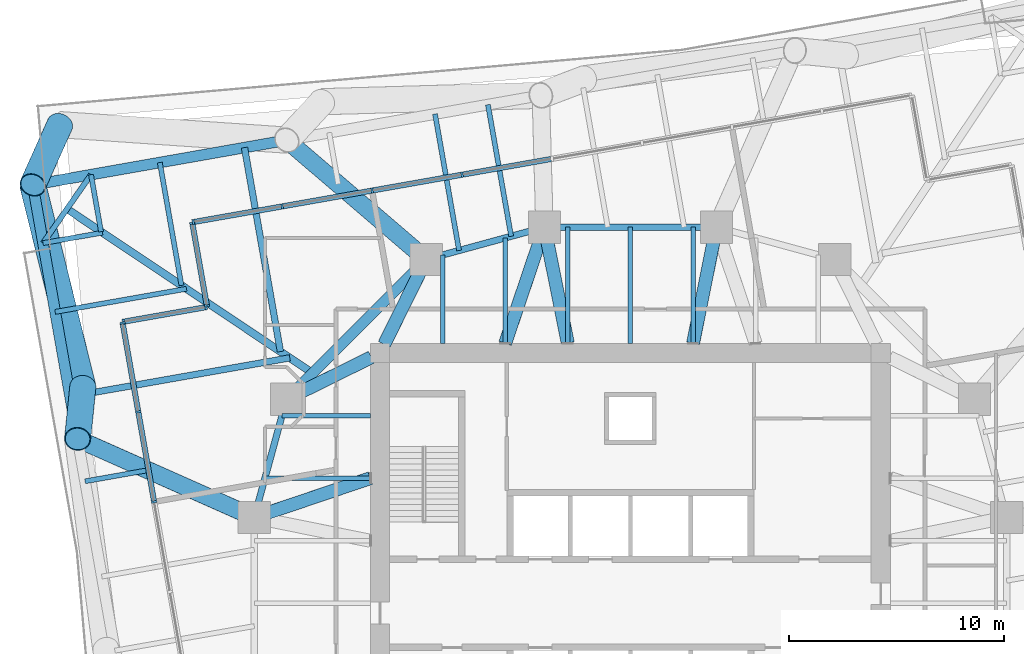
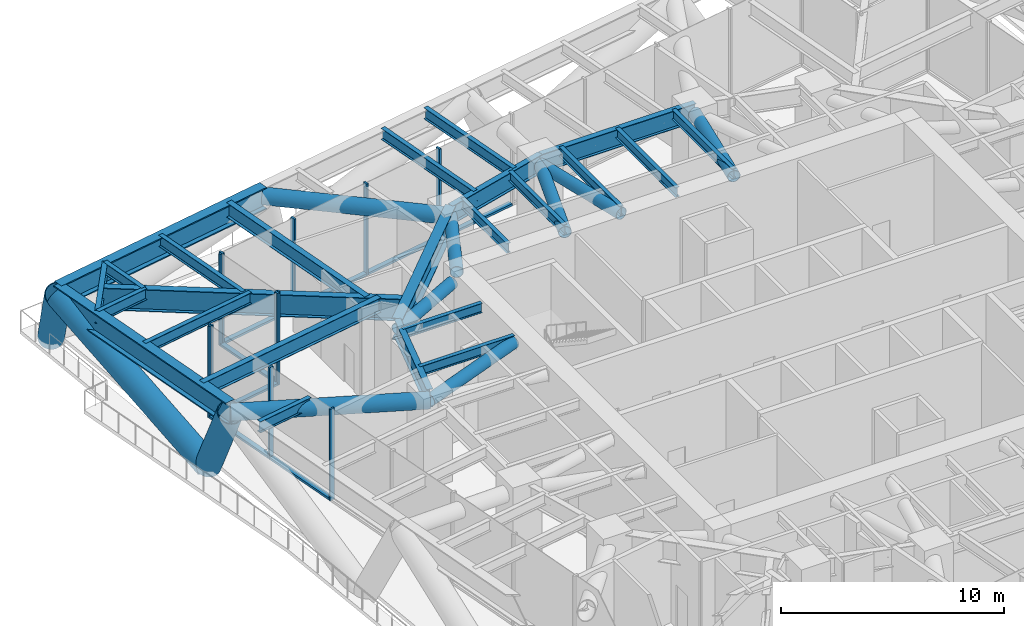
# One storey, part 5 of 15: 30 members, 24 beams, 4 elements without a shape of their own.
"""IFC4 building model written with IfcOpenShell, lengths in metres."""

from ifc_helpers import new_model, si_unit, direction, frame, origin, origin_2d, place, context, subcontext, project, spatial, rectangle, hollow_circle, i_section, extrude, material, material_profile, profile_set, type_object, element, aggregate, save


model = new_model("IFC4")

# Units and contexts
model_context = context("Model", 3, precision=1e-05, world=origin(), true_north=direction((0.0, 1.0)))
body_context = subcontext(model_context, "Body", "Model", "MODEL_VIEW")
ifc_project = project(units=[si_unit("LENGTHUNIT", "METRE"), si_unit("AREAUNIT", "SQUARE_METRE"), si_unit("VOLUMEUNIT", "CUBIC_METRE"), si_unit("PLANEANGLEUNIT", "RADIAN"), si_unit("MASSUNIT", "GRAM", prefix="KILO")], contexts=[model_context])

# Site, building, storey
site_placement = place(None, origin())
site = spatial("IfcSite", under=ifc_project, at=site_placement, CompositionType="ELEMENT")
building_placement = place(site_placement, origin())
building = spatial("IfcBuilding", under=site, at=building_placement, Name="Torsade Residences", CompositionType="ELEMENT")
storey_placement = place(building_placement, frame((0.0, 0.0, 74.39990234375)))
storey = spatial("IfcBuildingStorey", under=building, at=storey_placement, Name="L20", CompositionType="ELEMENT", Elevation=74.39990234375)

# Beams
ifc_material_1 = material(Name="Steel grade 300", Category="steel")
ifc_material_profile_1 = material_profile(ifc_material_1, i_section(OverallWidth=0.35009765625, OverallDepth=1.199951171875, WebThickness=0.01611328125, FlangeThickness=0.028076171875, at=origin_2d()), Name="1200WB278")
ifc_profile_set_1 = profile_set([ifc_material_profile_1], Name="Steel grade 300")
beam_type_1 = type_object("IfcBeamType", Name="CORNER GIRDER 1200WB278", PredefinedType="BEAM", material=ifc_profile_set_1)
beam_1_placement = place(storey_placement, frame((13.7900390625, 48.3525390625, 4.25), z_axis=(0.831284218533, -0.555847594236, 0.0), x_axis=(0.555847594236, 0.831284218533, 0.0)))
element("IfcBeam", 1, at=beam_1_placement, inside=storey, type_object=beam_type_1, Name="Corner girder 13 L21", PredefinedType="BEAM", context=body_context, shape_type="SweptSolid", body=[
    extrude(i_section(OverallWidth=0.35009765625, OverallDepth=1.199951171875, WebThickness=0.01611328125, FlangeThickness=0.028076171875, at=origin_2d()), origin(), (0.0, 0.0, 1.0), 13.742431640625),
])
ifc_material_2 = material(Name="Steel grade 300", Category="steel")
ifc_material_profile_2 = material_profile(ifc_material_2, i_section(OverallWidth=0.25, OverallDepth=0.699951171875, WebThickness=0.010009765625, FlangeThickness=0.02001953125, at=origin_2d()), Name="700WB130")
ifc_profile_set_2 = profile_set([ifc_material_profile_2], Name="Steel grade 300")
beam_type_2 = type_object("IfcBeamType", Name="CORNER TRIMMER 700WB130", PredefinedType="BEAM", material=ifc_profile_set_2)
beam_2_placement = place(storey_placement, frame((12.674560546875, 46.759521484375, 4.5), z_axis=(0.573576092373, 0.819152285145, 0.0), x_axis=(-0.819152285145, 0.573576092373, 0.0)))
element("IfcBeam", 2, at=beam_2_placement, inside=storey, type_object=beam_type_2, Name="Corner trimmer 13 L21", PredefinedType="BEAM", context=body_context, shape_type="SweptSolid", body=[
    extrude(i_section(OverallWidth=0.25, OverallDepth=0.699951171875, WebThickness=0.010009765625, FlangeThickness=0.02001953125, at=origin_2d()), origin(), (0.0, 0.0, 1.0), 3.88916015625),
])
ifc_material_3 = material(Name="Steel grade 300", Category="steel")
ifc_material_profile_3 = material_profile(ifc_material_3, i_section(OverallWidth=0.208984375, OverallDepth=0.528076171875, WebThickness=0.009521484375, FlangeThickness=0.01318359375, FilletRadius=0.013916015625, at=origin_2d()), Name="530UB82.0")
ifc_profile_set_3 = profile_set([ifc_material_profile_3], Name="Steel grade 300")
beam_type_3 = type_object("IfcBeamType", Name="INNER FLOOR BEAM 530UB82.0", PredefinedType="JOIST", material=ifc_profile_set_3)
beam_3_placement = place(storey_placement, frame((31.262451171875, 42.10009765625, 4.586181640625), z_axis=(0.0, 1.0, 0.0), x_axis=(-1.0, 0.0, 0.0)))
element("IfcBeam", 3, at=beam_3_placement, inside=storey, type_object=beam_type_3, Name="Inner floor beam IN01 L21", PredefinedType="JOIST", context=body_context, shape_type="SweptSolid", body=[
    extrude(i_section(OverallWidth=0.208984375, OverallDepth=0.528076171875, WebThickness=0.009521484375, FlangeThickness=0.01318359375, FilletRadius=0.013916015625, at=origin_2d()), origin(), (0.0, 0.0, 1.0), 4.10791015625),
])
beam_4_placement = place(storey_placement, frame((34.175048828125, 42.10009765625, 4.586181640625), z_axis=(0.0, 1.0, 0.0), x_axis=(-1.0, 0.0, 0.0)))
element("IfcBeam", 4, at=beam_4_placement, inside=storey, type_object=beam_type_3, Name="Inner floor beam IN02 L21", PredefinedType="JOIST", context=body_context, shape_type="SweptSolid", body=[
    extrude(i_section(OverallWidth=0.208984375, OverallDepth=0.528076171875, WebThickness=0.009521484375, FlangeThickness=0.01318359375, FilletRadius=0.013916015625, at=origin_2d()), origin(), (0.0, 0.0, 1.0), 4.902099609375),
])
for number, where, z_axis, x_axis, name in (
    (5, (37.08740234375, 42.10009765625, 4.586181640625), (0.0, 1.0, 0.0), (-1.0, 0.0, 0.0), "Inner floor beam IN03 L21"),
    (6, (40.0, 42.10009765625, 4.586181640625), (0.0, 1.0, 0.0), (-1.0, 0.0, 0.0), "Inner floor beam IN04 L21"),
    (7, (42.91259765625, 42.10009765625, 4.586181640625), (0.0, 1.0, 0.0), (-1.0, 0.0, 0.0), "Inner floor beam IN05 L21"),
):
    element("IfcBeam", number, at=place(storey_placement, frame(where, z_axis=z_axis, x_axis=x_axis)), inside=storey, type_object=beam_type_3, Name=name, PredefinedType="JOIST", context=body_context, shape_type="SweptSolid", body=[
        extrude(i_section(OverallWidth=0.208984375, OverallDepth=0.528076171875, WebThickness=0.009521484375, FlangeThickness=0.01318359375, FilletRadius=0.013916015625, at=origin_2d()), origin(), (0.0, 0.0, 1.0), 5.39990234375),
    ])
beam_5_placement = place(storey_placement, frame((27.89990234375, 38.737548828125, 4.586181640625), z_axis=(-1.0, 0.0, 0.0), x_axis=(0.0, -1.0, 0.0)))
element("IfcBeam", 8, at=beam_5_placement, inside=storey, type_object=beam_type_3, Name="Inner floor beam IW01 L21", PredefinedType="JOIST", context=body_context, shape_type="SweptSolid", body=[
    extrude(i_section(OverallWidth=0.208984375, OverallDepth=0.528076171875, WebThickness=0.009521484375, FlangeThickness=0.01318359375, FilletRadius=0.013916015625, at=origin_2d()), origin(), (0.0, 0.0, 1.0), 4.10791015625),
])
beam_6_placement = place(storey_placement, frame((27.89990234375, 35.824951171875, 4.586181640625), z_axis=(-1.0, 0.0, 0.0), x_axis=(0.0, -1.0, 0.0)))
element("IfcBeam", 9, at=beam_6_placement, inside=storey, type_object=beam_type_3, Name="Inner floor beam IW02 L21", PredefinedType="JOIST", context=body_context, shape_type="SweptSolid", body=[
    extrude(i_section(OverallWidth=0.208984375, OverallDepth=0.528076171875, WebThickness=0.009521484375, FlangeThickness=0.01318359375, FilletRadius=0.013916015625, at=origin_2d()), origin(), (0.0, 0.0, 1.0), 4.902099609375),
])
ifc_material_4 = material(Name="Steel grade 300", Category="steel")
ifc_material_profile_4 = material_profile(ifc_material_4, i_section(OverallWidth=0.5, OverallDepth=1.199951171875, WebThickness=0.01611328125, FlangeThickness=0.0400390625, at=origin_2d()), Name="1200WB455")
ifc_profile_set_4 = profile_set([ifc_material_profile_4], Name="Steel grade 300")
beam_type_4 = type_object("IfcBeamType", Name="RING CORNER GIRDER 1200WB455", PredefinedType="BEAM", material=ifc_profile_set_4)
beam_7_placement = place(storey_placement, frame((30.5, 46.0, 4.25), z_axis=(-0.707106781187, -0.707106781187, 0.0), x_axis=(0.707106781187, -0.707106781187, 0.0)))
element("IfcBeam", 10, at=beam_7_placement, inside=storey, type_object=beam_type_4, Name="Ring girder IR07 L21", PredefinedType="BEAM", context=body_context, shape_type="SweptSolid", body=[
    extrude(i_section(OverallWidth=0.5, OverallDepth=1.199951171875, WebThickness=0.01611328125, FlangeThickness=0.0400390625, at=origin_2d()), origin(), (0.0, 0.0, 1.0), 9.1923828125),
])
ifc_material_5 = material(Name="Steel grade 300", Category="steel")
ifc_material_profile_5 = material_profile(ifc_material_5, i_section(OverallWidth=0.300048828125, OverallDepth=1.0, WebThickness=0.01611328125, FlangeThickness=0.028076171875, at=origin_2d()), Name="1000WB215")
ifc_profile_set_5 = profile_set([ifc_material_profile_5], Name="Steel grade 300")
beam_type_5 = type_object("IfcBeamType", Name="RING GIRDER 1000WB215", PredefinedType="BEAM", material=ifc_profile_set_5)
beam_8_placement = place(storey_placement, frame((44.0, 47.5, 4.35009765625), z_axis=(-1.0, 0.0, 0.0), x_axis=(0.0, -1.0, 0.0)))
element("IfcBeam", 11, at=beam_8_placement, inside=storey, type_object=beam_type_5, Name="Ring girder IR05 L21", PredefinedType="BEAM", context=body_context, shape_type="SweptSolid", body=[
    extrude(i_section(OverallWidth=0.300048828125, OverallDepth=1.0, WebThickness=0.01611328125, FlangeThickness=0.028076171875, at=origin_2d()), origin(), (0.0, 0.0, 1.0), 8.0),
])
for number, where, z_axis, x_axis, name in (
    (12, (36.0, 47.5, 4.35009765625), (-0.964763821238, -0.263117405792, 0.0), (0.263117405792, -0.964763821238, 0.0), "Ring girder IR06 L21"),
    (13, (24.0, 39.5, 4.35009765625), (-0.263117405792, -0.964763821238, 0.0), (0.964763821238, -0.263117405792, 0.0), "Ring girder IR08 L21"),
):
    element("IfcBeam", number, at=place(storey_placement, frame(where, z_axis=z_axis, x_axis=x_axis)), inside=storey, type_object=beam_type_5, Name=name, PredefinedType="BEAM", context=body_context, shape_type="SweptSolid", body=[
        extrude(i_section(OverallWidth=0.300048828125, OverallDepth=1.0, WebThickness=0.01611328125, FlangeThickness=0.028076171875, at=origin_2d()), origin(), (0.0, 0.0, 1.0), 5.700927734375),
    ])
ifc_material_6 = material(Name="Steel grade 300", Category="steel")
ifc_material_profile_6 = material_profile(ifc_material_6, i_section(OverallWidth=0.22900390625, OverallDepth=0.612060546875, WebThickness=0.011962890625, FlangeThickness=0.01953125, FilletRadius=0.013916015625, at=origin_2d()), Name="610UB125")
ifc_profile_set_6 = profile_set([ifc_material_profile_6], Name="Steel grade 300")
beam_type_6 = type_object("IfcBeamType", Name="SECONDARY BEAM 610UB125", PredefinedType="JOIST", material=ifc_profile_set_6)
beam_9_placement = place(storey_placement, frame((33.370361328125, 53.201171875, 4.544189453125), z_axis=(0.173655425542, -0.984806474989, 0.0), x_axis=(0.984806474989, 0.173655425542, 0.0)))
element("IfcBeam", 14, at=beam_9_placement, inside=storey, type_object=beam_type_6, Name="Floor beam FN07 L21", PredefinedType="JOIST", context=body_context, shape_type="SweptSolid", body=[
    extrude(i_section(OverallWidth=0.22900390625, OverallDepth=0.612060546875, WebThickness=0.011962890625, FlangeThickness=0.01953125, FilletRadius=0.013916015625, at=origin_2d()), origin(), (0.0, 0.0, 1.0), 6.21826171875),
])
beam_10_placement = place(storey_placement, frame((30.908447265625, 52.76708984375, 4.544189453125), z_axis=(0.17363198078, -0.984810608823, 0.0), x_axis=(0.984810608823, 0.17363198078, 0.0)))
element("IfcBeam", 15, at=beam_10_placement, inside=storey, type_object=beam_type_6, Name="Floor beam FN08 L21", PredefinedType="JOIST", context=body_context, shape_type="SweptSolid", body=[
    extrude(i_section(OverallWidth=0.22900390625, OverallDepth=0.612060546875, WebThickness=0.011962890625, FlangeThickness=0.01953125, FilletRadius=0.013916015625, at=origin_2d()), origin(), (0.0, 0.0, 1.0), 6.4482421875),
])
beam_11_placement = place(storey_placement, frame((18.10595703125, 50.509765625, 4.544189453125), z_axis=(0.17364618288, -0.984808104745, 0.0), x_axis=(0.984808104745, 0.17364618288, 0.0)))
element("IfcBeam", 16, at=beam_11_placement, inside=storey, type_object=beam_type_6, Name="Floor beam FN11 L21", PredefinedType="JOIST", context=body_context, shape_type="SweptSolid", body=[
    extrude(i_section(OverallWidth=0.22900390625, OverallDepth=0.612060546875, WebThickness=0.011962890625, FlangeThickness=0.01953125, FilletRadius=0.013916015625, at=origin_2d()), origin(), (0.0, 0.0, 1.0), 5.80517578125),
])
beam_12_placement = place(storey_placement, frame((14.9052734375, 49.9453125, 4.544189453125), z_axis=(0.173671513648, -0.984803637964, 0.0), x_axis=(0.984803637964, 0.173671513648, 0.0)))
element("IfcBeam", 17, at=beam_12_placement, inside=storey, type_object=beam_type_6, Name="Floor beam FN12 L21", PredefinedType="JOIST", context=body_context, shape_type="SweptSolid", body=[
    extrude(i_section(OverallWidth=0.22900390625, OverallDepth=0.612060546875, WebThickness=0.011962890625, FlangeThickness=0.01953125, FilletRadius=0.013916015625, at=origin_2d()), origin(), (0.0, 0.0, 1.0), 2.692138671875),
])
beam_13_placement = place(storey_placement, frame((12.674560546875, 46.759521484375, 4.544189453125), z_axis=(0.984808034965, 0.173646578627, 0.0), x_axis=(-0.173646578627, 0.984808034965, 0.0)))
element("IfcBeam", 18, at=beam_13_placement, inside=storey, type_object=beam_type_6, Name="Floor beam FW01 L21", PredefinedType="JOIST", context=body_context, shape_type="SweptSolid", body=[
    extrude(i_section(OverallWidth=0.22900390625, OverallDepth=0.612060546875, WebThickness=0.011962890625, FlangeThickness=0.01953125, FilletRadius=0.013916015625, at=origin_2d()), origin(), (0.0, 0.0, 1.0), 2.810546875),
])
beam_14_placement = place(storey_placement, frame((13.239013671875, 43.55908203125, 4.544189453125), z_axis=(0.984808114517, 0.173646127458, 0.0), x_axis=(-0.173646127458, 0.984808114517, 0.0)))
element("IfcBeam", 19, at=beam_14_placement, inside=storey, type_object=beam_type_6, Name="Floor beam FW02 L21", PredefinedType="JOIST", context=body_context, shape_type="SweptSolid", body=[
    extrude(i_section(OverallWidth=0.22900390625, OverallDepth=0.612060546875, WebThickness=0.011962890625, FlangeThickness=0.01953125, FilletRadius=0.013916015625, at=origin_2d()), origin(), (0.0, 0.0, 1.0), 6.203125),
])
beam_15_placement = place(storey_placement, frame((14.628173828125, 35.680419921875, 4.544189453125), z_axis=(0.984797618104, 0.17370564578, 0.0), x_axis=(-0.17370564578, 0.984797618104, 0.0)))
element("IfcBeam", 20, at=beam_15_placement, inside=storey, type_object=beam_type_6, Name="Floor beam FW04 L21", PredefinedType="JOIST", context=body_context, shape_type="SweptSolid", body=[
    extrude(i_section(OverallWidth=0.22900390625, OverallDepth=0.612060546875, WebThickness=0.011962890625, FlangeThickness=0.01953125, FilletRadius=0.013916015625, at=origin_2d()), origin(), (0.0, 0.0, 1.0), 2.97119140625),
])
ifc_material_7 = material(Name="Steel grade 300", Category="steel")
ifc_material_profile_7 = material_profile(ifc_material_7, i_section(OverallWidth=0.300048828125, OverallDepth=0.800048828125, WebThickness=0.010009765625, FlangeThickness=0.02001953125, at=origin_2d()), Name="800WB146")
ifc_profile_set_7 = profile_set([ifc_material_profile_7], Name="Steel grade 300")
beam_type_7 = type_object("IfcBeamType", Name="SECONDARY BEAM 800WB146", PredefinedType="JOIST", material=ifc_profile_set_7)
beam_16_placement = place(storey_placement, frame((22.045166015625, 51.204345703125, 4.4501953125), z_axis=(0.173639363846, -0.984809307086, 0.0), x_axis=(0.984809307086, 0.173639363846, 0.0)))
element("IfcBeam", 21, at=beam_16_placement, inside=storey, type_object=beam_type_7, Name="Floor beam FN10 L21", PredefinedType="JOIST", context=body_context, shape_type="SweptSolid", body=[
    extrude(i_section(OverallWidth=0.300048828125, OverallDepth=0.800048828125, WebThickness=0.010009765625, FlangeThickness=0.02001953125, at=origin_2d()), origin(), (0.0, 0.0, 1.0), 9.636962890625),
])
beam_17_placement = place(storey_placement, frame((13.93359375, 39.619873046875, 4.4501953125), z_axis=(0.98480888615, 0.173641751202, 0.0), x_axis=(-0.173641751202, 0.98480888615, 0.0)))
element("IfcBeam", 22, at=beam_17_placement, inside=storey, type_object=beam_type_7, Name="Floor beam FW03 L21", PredefinedType="JOIST", context=body_context, shape_type="SweptSolid", body=[
    extrude(i_section(OverallWidth=0.300048828125, OverallDepth=0.800048828125, WebThickness=0.010009765625, FlangeThickness=0.02001953125, at=origin_2d()), origin(), (0.0, 0.0, 1.0), 10.379150390625),
])

# Members
ifc_material_8 = material(Name="Steel grade 450", Category="steel")
ifc_material_profile_8 = material_profile(ifc_material_8, hollow_circle(Radius=0.304931640625, WallThickness=0.01611328125, at=origin_2d()), Name="610.0x16.0CHS")
ifc_profile_set_8 = profile_set([ifc_material_profile_8], Name="Steel grade 450")
member_type_1 = type_object("IfcMemberType", Name="TRANSFER FLOOR BRACE 610.0x16.0CHS", PredefinedType="BRACE", material=ifc_profile_set_8)
for number, where, z_axis, x_axis, name in (
    (23, (44.0, 47.5, 4.25), (-0.197299045909, -0.97976207845, 0.03375434957), (0.980320704809, -0.197411538983, 0.0), "Transfer floor brace TT2 top IR05IN05"),
    (24, (36.0, 47.5, 4.25), (0.197299045909, -0.97976207845, 0.03375434957), (0.980320704809, 0.197411538983, 0.0), "Transfer floor brace TT2 top IR06IN03"),
):
    element("IfcMember", number, at=place(storey_placement, frame(where, z_axis=z_axis, x_axis=x_axis)), inside=storey, type_object=member_type_1, Name=name, PredefinedType="BRACE", context=body_context, shape_type="SweptSolid", body=[
        extrude(hollow_circle(Radius=0.304931640625, WallThickness=0.01611328125, at=origin_2d()), origin(), (0.0, 0.0, 1.0), 5.511474609375),
    ])
member_1_placement = place(storey_placement, frame((36.0, 47.5, 4.25), z_axis=(-0.319999474368, -0.946855969774, 0.032620682203), x_axis=(0.947360151124, -0.320169867513, 0.0)))
element("IfcMember", 25, at=member_1_placement, inside=storey, type_object=member_type_1, Name="Transfer floor brace TT2 top IR06IN02", PredefinedType="BRACE", context=body_context, shape_type="SweptSolid", body=[
    extrude(hollow_circle(Radius=0.304931640625, WallThickness=0.01611328125, at=origin_2d()), origin(), (0.0, 0.0, 1.0), 5.702880859375),
])
for number, where, z_axis, x_axis, name in (
    (26, (30.5, 46.0, 4.25), (-0.443105036702, -0.896469701914, 0.0), (0.896469701914, -0.443105036702, 0.0), "Transfer floor brace TT2 top IR07C"),
    (27, (24.0, 39.5, 4.25), (0.896469701914, 0.443105036702, 0.0), (-0.443105036702, 0.896469701914, 0.0), "Transfer floor brace TT2 top IR08C"),
):
    element("IfcMember", number, at=place(storey_placement, frame(where, z_axis=z_axis, x_axis=x_axis)), inside=storey, type_object=member_type_1, Name=name, PredefinedType="BRACE", context=body_context, shape_type="SweptSolid", body=[
        extrude(hollow_circle(Radius=0.304931640625, WallThickness=0.01611328125, at=origin_2d()), origin(), (0.0, 0.0, 1.0), 4.40234375),
    ])
member_2_placement = place(storey_placement, frame((22.5, 34.0, 4.25), z_axis=(0.946855969774, 0.319999474368, 0.032620682203), x_axis=(-0.320169867513, 0.947360151124, 0.0)))
element("IfcMember", 28, at=member_2_placement, inside=storey, type_object=member_type_1, Name="Transfer floor brace TT2 top IR09IW02", PredefinedType="BRACE", context=body_context, shape_type="SweptSolid", body=[
    extrude(hollow_circle(Radius=0.304931640625, WallThickness=0.01611328125, at=origin_2d()), origin(), (0.0, 0.0, 1.0), 5.702880859375),
])
ifc_material_9 = material(Name="Steel grade 450", Category="steel")
ifc_material_profile_9 = material_profile(ifc_material_9, hollow_circle(Radius=0.406494140625, WallThickness=0.02490234375, at=origin_2d()), Name="813.0x25.0CHS")
ifc_profile_set_9 = profile_set([ifc_material_profile_9], Name="Steel grade 450")
member_type_2 = type_object("IfcMemberType", Name="TRANSFER FLOOR STRUT 813.0x25.0CHS", PredefinedType="STRUT", material=ifc_profile_set_9)
member_3_placement = place(storey_placement, frame((24.0146484375, 51.551513671875, 4.25), z_axis=(0.759682384585, -0.650294298415, 0.0), x_axis=(0.650294298415, 0.759682384585, 0.0)))
element("IfcMember", 29, at=member_3_placement, inside=storey, type_object=member_type_2, Name="Transfer floor strut TT2 top 12IR07", PredefinedType="STRUT", context=body_context, shape_type="SweptSolid", body=[
    extrude(hollow_circle(Radius=0.406494140625, WallThickness=0.02490234375, at=origin_2d()), origin(), (0.0, 0.0, 1.0), 8.536865234375),
])
member_4_placement = place(storey_placement, frame((14.28076171875, 37.650146484375, 4.25), z_axis=(0.913929053822, -0.405873976228, 0.0), x_axis=(0.405873976228, 0.913929053822, 0.0)))
element("IfcMember", 30, at=member_4_placement, inside=storey, type_object=member_type_2, Name="Transfer floor strut TT2 top 14IR09", PredefinedType="STRUT", context=body_context, shape_type="SweptSolid", body=[
    extrude(hollow_circle(Radius=0.406494140625, WallThickness=0.02490234375, at=origin_2d()), origin(), (0.0, 0.0, 1.0), 8.993408203125),
])

# Curtain wall, members
ifc_material_10 = material(Name="Aluminium and glass", Category="aluminium")
curtain_wall_type = type_object("IfcCurtainWallType", Name="TRANSFER LEVEL CURTAIN WALL LOW ZONE", PredefinedType="NOTDEFINED", material=ifc_material_10)
curtain_wall_1_placement = place(storey_placement, origin())
curtain_wall_1 = element("IfcCurtainWall", 31, at=curtain_wall_1_placement, inside=storey, type_object=curtain_wall_type, Name="Curtain wall L20 face 7", PredefinedType="NOTDEFINED")
ifc_material_11 = material(Name="Aluminium mullion", Category="aluminium")
ifc_material_profile_10 = material_profile(ifc_material_11, rectangle(XDim=0.25, YDim=0.10009765625, at=origin_2d()), Name="TRANSFER LEVEL CURTAIN WALL MULLION 250x100")
ifc_profile_set_10 = profile_set([ifc_material_profile_10], Name="Aluminium mullion")
member_type_3 = type_object("IfcMemberType", Name="TRANSFER LEVEL CURTAIN WALL MULLION 250x100", PredefinedType="MULLION", material=ifc_profile_set_10)
member_5_placement = place(storey_placement, frame((32.16796875, 49.94287109375, 0.0), z_axis=(0.0, 0.0, 1.0), x_axis=(0.173648174504, -0.98480775357, 0.0)))
member_5 = element("IfcMember", 32, at=member_5_placement, type_object=member_type_3, Name="Mullion 6", PredefinedType="MULLION", context=body_context, shape_type="SweptSolid", body=[
    extrude(rectangle(XDim=0.25, YDim=0.10009765625, at=origin_2d()), origin(), (0.0, 0.0, 1.0), 5.0),
])
member_6_placement = place(storey_placement, frame((27.982421875, 49.204833984375, 0.0), z_axis=(0.0, 0.0, 1.0), x_axis=(0.173648174504, -0.98480775357, 0.0)))
member_6 = element("IfcMember", 33, at=member_6_placement, type_object=member_type_3, Name="Mullion 7", PredefinedType="MULLION", context=body_context, shape_type="SweptSolid", body=[
    extrude(rectangle(XDim=0.25, YDim=0.10009765625, at=origin_2d()), origin(), (0.0, 0.0, 1.0), 5.0),
])
member_7_placement = place(storey_placement, frame((23.797119140625, 48.467041015625, 0.0), z_axis=(0.0, 0.0, 1.0), x_axis=(0.173648174504, -0.98480775357, 0.0)))
member_7 = element("IfcMember", 34, at=member_7_placement, type_object=member_type_3, Name="Mullion 8", PredefinedType="MULLION", context=body_context, shape_type="SweptSolid", body=[
    extrude(rectangle(XDim=0.25, YDim=0.10009765625, at=origin_2d()), origin(), (0.0, 0.0, 1.0), 5.0),
])
member_8_placement = place(storey_placement, frame((19.660888671875, 47.737548828125, 0.0), z_axis=(0.0, 0.0, 1.0), x_axis=(0.173648174504, -0.98480775357, 0.0)))
member_8 = element("IfcMember", 35, at=member_8_placement, type_object=member_type_3, Name="Mullion 9", PredefinedType="MULLION", context=body_context, shape_type="SweptSolid", body=[
    extrude(rectangle(XDim=0.25, YDim=0.10009765625, at=origin_2d()), origin(), (0.0, 0.0, 1.0), 5.0),
])

curtain_wall_2_placement = place(storey_placement, origin())
curtain_wall_2 = element("IfcCurtainWall", 36, at=curtain_wall_2_placement, inside=storey, type_object=curtain_wall_type, Name="Curtain wall L20 face 8", PredefinedType="NOTDEFINED")
member_9_placement = place(storey_placement, frame((19.620361328125, 47.6796875, 0.0), z_axis=(0.0, 0.0, 1.0), x_axis=(0.984807740553, 0.173648248327, 0.0)))
member_9 = element("IfcMember", 37, at=member_9_placement, type_object=member_type_3, Name="Mullion 1", PredefinedType="MULLION", context=body_context, shape_type="SweptSolid", body=[
    extrude(rectangle(XDim=0.25, YDim=0.10009765625, at=origin_2d()), origin(), (0.0, 0.0, 1.0), 5.0),
])
member_10_placement = place(storey_placement, frame((20.297607421875, 43.8388671875, 0.0), z_axis=(0.0, 0.0, 1.0), x_axis=(0.984807740553, 0.173648248327, 0.0)))
member_10 = element("IfcMember", 38, at=member_10_placement, type_object=member_type_3, Name="Mullion 2", PredefinedType="MULLION", context=body_context, shape_type="SweptSolid", body=[
    extrude(rectangle(XDim=0.25, YDim=0.10009765625, at=origin_2d()), origin(), (0.0, 0.0, 1.0), 5.0),
])

curtain_wall_3_placement = place(storey_placement, origin())
curtain_wall_3 = element("IfcCurtainWall", 39, at=curtain_wall_3_placement, inside=storey, type_object=curtain_wall_type, Name="Curtain wall L20 face 9", PredefinedType="NOTDEFINED")
member_11_placement = place(storey_placement, frame((20.257080078125, 43.781005859375, 0.0), z_axis=(0.0, 0.0, 1.0), x_axis=(0.173648248327, -0.984807740553, 0.0)))
member_11 = element("IfcMember", 40, at=member_11_placement, type_object=member_type_3, Name="Mullion 1", PredefinedType="MULLION", context=body_context, shape_type="SweptSolid", body=[
    extrude(rectangle(XDim=0.25, YDim=0.10009765625, at=origin_2d()), origin(), (0.0, 0.0, 1.0), 5.0),
])
member_12_placement = place(storey_placement, frame((16.416259765625, 43.103759765625, 0.0), z_axis=(0.0, 0.0, 1.0), x_axis=(0.173648248327, -0.984807740553, 0.0)))
member_12 = element("IfcMember", 41, at=member_12_placement, type_object=member_type_3, Name="Mullion 2", PredefinedType="MULLION", context=body_context, shape_type="SweptSolid", body=[
    extrude(rectangle(XDim=0.25, YDim=0.10009765625, at=origin_2d()), origin(), (0.0, 0.0, 1.0), 5.0),
])

curtain_wall_4_placement = place(storey_placement, origin())
curtain_wall_4 = element("IfcCurtainWall", 42, at=curtain_wall_4_placement, inside=storey, type_object=curtain_wall_type, Name="Curtain wall L20 face 10", PredefinedType="NOTDEFINED")
member_13_placement = place(storey_placement, frame((16.375732421875, 43.0458984375, 0.0), z_axis=(0.0, 0.0, 1.0), x_axis=(0.98480775357, 0.173648174504, 0.0)))
member_13 = element("IfcMember", 43, at=member_13_placement, type_object=member_type_3, Name="Mullion 1", PredefinedType="MULLION", context=body_context, shape_type="SweptSolid", body=[
    extrude(rectangle(XDim=0.25, YDim=0.10009765625, at=origin_2d()), origin(), (0.0, 0.0, 1.0), 5.0),
])
member_14_placement = place(storey_placement, frame((17.10498046875, 38.90966796875, 0.0), z_axis=(0.0, 0.0, 1.0), x_axis=(0.98480775357, 0.173648174504, 0.0)))
member_14 = element("IfcMember", 44, at=member_14_placement, type_object=member_type_3, Name="Mullion 2", PredefinedType="MULLION", context=body_context, shape_type="SweptSolid", body=[
    extrude(rectangle(XDim=0.25, YDim=0.10009765625, at=origin_2d()), origin(), (0.0, 0.0, 1.0), 5.0),
])
member_15_placement = place(storey_placement, frame((17.843017578125, 34.724365234375, 0.0), z_axis=(0.0, 0.0, 1.0), x_axis=(0.98480775357, 0.173648174504, 0.0)))
member_15 = element("IfcMember", 45, at=member_15_placement, type_object=member_type_3, Name="Mullion 3", PredefinedType="MULLION", context=body_context, shape_type="SweptSolid", body=[
    extrude(rectangle(XDim=0.25, YDim=0.10009765625, at=origin_2d()), origin(), (0.0, 0.0, 1.0), 5.0),
])

# Member
ifc_material_12 = material(Name="Aluminium transom", Category="aluminium")
ifc_material_profile_11 = material_profile(ifc_material_12, rectangle(XDim=0.25, YDim=0.1201171875, at=origin_2d()), Name="TRANSFER LEVEL CURTAIN WALL TRANSOM 250x120")
ifc_profile_set_11 = profile_set([ifc_material_profile_11], Name="Aluminium transom")
member_type_4 = type_object("IfcMemberType", Name="TRANSFER LEVEL CURTAIN WALL TRANSOM 250x120", PredefinedType="USERDEFINED", material=ifc_profile_set_11)
member_16_placement = place(storey_placement, frame((36.30419921875, 50.67236328125, 0.06005859375), z_axis=(-0.984804872144, -0.173664515088, 0.0), x_axis=(0.173664515088, -0.984804872144, 0.0)))
member_16 = element("IfcMember", 46, at=member_16_placement, type_object=member_type_4, Name="Transom 5.1", ObjectType="TRANSOM", PredefinedType="USERDEFINED", context=body_context, shape_type="SweptSolid", body=[
    extrude(rectangle(XDim=0.25, YDim=0.1201171875, at=origin_2d()), origin(), (0.0, 0.0, 1.0), 4.14990234375),
])

member_17_placement = place(storey_placement, frame((32.11865234375, 49.934326171875, 0.06005859375), z_axis=(-0.984804872144, -0.173664515088, 0.0), x_axis=(0.173664515088, -0.984804872144, 0.0)))
member_17 = element("IfcMember", 47, at=member_17_placement, type_object=member_type_4, Name="Transom 6.1", ObjectType="TRANSOM", PredefinedType="USERDEFINED", context=body_context, shape_type="SweptSolid", body=[
    extrude(rectangle(XDim=0.25, YDim=0.1201171875, at=origin_2d()), origin(), (0.0, 0.0, 1.0), 4.14990234375),
])

member_18_placement = place(storey_placement, frame((27.933349609375, 49.1962890625, 0.06005859375), z_axis=(-0.984804872144, -0.173664515088, 0.0), x_axis=(0.173664515088, -0.984804872144, 0.0)))
member_18 = element("IfcMember", 48, at=member_18_placement, type_object=member_type_4, Name="Transom 7.1", ObjectType="TRANSOM", PredefinedType="USERDEFINED", context=body_context, shape_type="SweptSolid", body=[
    extrude(rectangle(XDim=0.25, YDim=0.1201171875, at=origin_2d()), origin(), (0.0, 0.0, 1.0), 4.14990234375),
])

member_19_placement = place(storey_placement, frame((23.747802734375, 48.458251953125, 0.06005859375), z_axis=(-0.984808726596, -0.17364265611, 0.0), x_axis=(0.17364265611, -0.984808726596, 0.0)))
member_19 = element("IfcMember", 49, at=member_19_placement, type_object=member_type_4, Name="Transom 8.1", ObjectType="TRANSOM", PredefinedType="USERDEFINED", context=body_context, shape_type="SweptSolid", body=[
    extrude(rectangle(XDim=0.25, YDim=0.1201171875, at=origin_2d()), origin(), (0.0, 0.0, 1.0), 4.099853515625),
])

aggregate(curtain_wall_1, [member_5, member_6, member_7, member_8, member_16, member_17, member_18, member_19])

member_20_placement = place(storey_placement, frame((19.62890625, 47.63037109375, 0.06005859375), z_axis=(0.173664381086, -0.984804895775, 0.0), x_axis=(0.984804895775, 0.173664381086, 0.0)))
member_20 = element("IfcMember", 50, at=member_20_placement, type_object=member_type_4, Name="Transom 1.1", ObjectType="TRANSOM", PredefinedType="USERDEFINED", context=body_context, shape_type="SweptSolid", body=[
    extrude(rectangle(XDim=0.25, YDim=0.1201171875, at=origin_2d()), origin(), (0.0, 0.0, 1.0), 3.800048828125),
])

aggregate(curtain_wall_2, [member_9, member_10, member_20])

member_21_placement = place(storey_placement, frame((20.207763671875, 43.7724609375, 0.06005859375), z_axis=(-0.984804895775, -0.173664381086, 0.0), x_axis=(0.173664381086, -0.984804895775, 0.0)))
member_21 = element("IfcMember", 51, at=member_21_placement, type_object=member_type_4, Name="Transom 1.1", ObjectType="TRANSOM", PredefinedType="USERDEFINED", context=body_context, shape_type="SweptSolid", body=[
    extrude(rectangle(XDim=0.25, YDim=0.1201171875, at=origin_2d()), origin(), (0.0, 0.0, 1.0), 3.800048828125),
])

aggregate(curtain_wall_3, [member_11, member_12, member_21])

member_22_placement = place(storey_placement, frame((16.38427734375, 42.99658203125, 0.06005859375), z_axis=(0.173700407966, -0.984798541973, 0.0), x_axis=(0.984798541973, 0.173700407966, 0.0)))
member_22 = element("IfcMember", 52, at=member_22_placement, type_object=member_type_4, Name="Transom 1.1", ObjectType="TRANSOM", PredefinedType="USERDEFINED", context=body_context, shape_type="SweptSolid", body=[
    extrude(rectangle(XDim=0.25, YDim=0.1201171875, at=origin_2d()), origin(), (0.0, 0.0, 1.0), 4.099853515625),
])

member_23_placement = place(storey_placement, frame((17.11376953125, 38.8603515625, 0.06005859375), z_axis=(0.173607459029, -0.984814931939, 0.0), x_axis=(0.984814931939, 0.173607459029, 0.0)))
member_23 = element("IfcMember", 53, at=member_23_placement, type_object=member_type_4, Name="Transom 2.1", ObjectType="TRANSOM", PredefinedType="USERDEFINED", context=body_context, shape_type="SweptSolid", body=[
    extrude(rectangle(XDim=0.25, YDim=0.1201171875, at=origin_2d()), origin(), (0.0, 0.0, 1.0), 4.14990234375),
])

aggregate(curtain_wall_4, [member_13, member_14, member_15, member_22, member_23])

# Beams
ifc_material_13 = material(Name="Steel grade 350", Category="steel")
ifc_material_profile_12 = material_profile(ifc_material_13, i_section(OverallWidth=0.5, OverallDepth=1.199951171875, WebThickness=0.035888671875, FlangeThickness=0.06005859375, at=origin_2d()), Name="1200x500x60x36WPG")
ifc_profile_set_12 = profile_set([ifc_material_profile_12], Name="Steel grade 350")
beam_type_8 = type_object("IfcBeamType", Name="TRANSFER TRUSS CHORD 1200x500x60x36WPG", PredefinedType="USERDEFINED", material=ifc_profile_set_12)
for number, where, z_axis, x_axis, name in (
    (54, (24.0146484375, 51.551513671875, 4.25), (-0.984808127031, -0.173646056486, 0.0), (0.173646056486, -0.984808127031, 0.0), "Transfer truss TT2 top chord 12"),
    (55, (12.197021484375, 49.4677734375, 4.25), (0.173646056486, -0.984808127031, 0.0), (0.984808127031, 0.173646056486, 0.0), "Transfer truss TT2 top chord 13"),
):
    element("IfcBeam", number, at=place(storey_placement, frame(where, z_axis=z_axis, x_axis=x_axis)), inside=storey, type_object=beam_type_8, Name=name, ObjectType="TRANSFER TRUSS CHORD", PredefinedType="USERDEFINED", context=body_context, shape_type="SweptSolid", body=[
        extrude(i_section(OverallWidth=0.5, OverallDepth=1.199951171875, WebThickness=0.035888671875, FlangeThickness=0.06005859375, at=origin_2d()), origin(), (0.0, 0.0, 1.0), 12.0),
    ])

# Members
ifc_material_14 = material(Name="Steel grade 450", Category="steel")
ifc_material_profile_13 = material_profile(ifc_material_14, hollow_circle(Radius=0.609619140625, WallThickness=0.0400390625, at=origin_2d()), Name="1219.0x40.0CHS")
ifc_profile_set_13 = profile_set([ifc_material_profile_13], Name="Steel grade 450")
member_type_5 = type_object("IfcMemberType", Name="TRANSFER TRUSS DIAGONAL 1219.0x40.0CHS", PredefinedType="BRACE", material=ifc_profile_set_13)
member_24_placement = place(storey_placement, frame((14.525634765625, 40.068115234375, -0.199951171875), z_axis=(-0.218499329964, 0.881992315258, 0.417549516382), x_axis=(-0.970657863022, -0.240464785266, 0.0)))
element("IfcMember", 56, at=member_24_placement, inside=storey, type_object=member_type_5, Name="Transfer truss TT2 diagonal 13", PredefinedType="BRACE", context=body_context, shape_type="SweptSolid", body=[
    extrude(hollow_circle(Radius=0.609619140625, WallThickness=0.0400390625, at=origin_2d()), origin(), (0.0, 0.0, 1.0), 10.6572265625),
])
ifc_material_15 = material(Name="Steel grade 450", Category="steel")
ifc_material_profile_14 = material_profile(ifc_material_15, hollow_circle(Radius=0.609619140625, WallThickness=0.0400390625, at=origin_2d()), Name="1219.0x40.0CHS")
ifc_profile_set_14 = profile_set([ifc_material_profile_14], Name="Steel grade 450")
member_type_6 = type_object("IfcMemberType", Name="TRANSFER TRUSS RAKING STRUT 1219.0x40.0CHS", PredefinedType="STRUT", material=ifc_profile_set_14)
member_25_placement = place(storey_placement, frame((13.4580078125, 52.271484375, -0.199951171875), z_axis=(-0.23314471004, -0.518380222671, 0.822754817017), x_axis=(0.912004699077, -0.410179751892, 0.0)))
element("IfcMember", 57, at=member_25_placement, inside=storey, type_object=member_type_6, Name="Transfer truss TT2 raking strut 13", PredefinedType="STRUT", context=body_context, shape_type="SweptSolid", body=[
    extrude(hollow_circle(Radius=0.609619140625, WallThickness=0.0400390625, at=origin_2d()), origin(), (0.0, 0.0, 1.0), 5.40869140625),
])
member_26_placement = place(storey_placement, frame((14.525634765625, 40.068115234375, -0.199951171875), z_axis=(-0.04829495459, -0.476882582508, 0.877639219646), x_axis=(0.994911080331, -0.100756847089, 0.0)))
element("IfcMember", 58, at=member_26_placement, inside=storey, type_object=member_type_6, Name="Transfer truss TT2 raking strut 14", PredefinedType="STRUT", context=body_context, shape_type="SweptSolid", body=[
    extrude(hollow_circle(Radius=0.609619140625, WallThickness=0.0400390625, at=origin_2d()), origin(), (0.0, 0.0, 1.0), 5.0703125),
])

save(model, "model.ifc")
